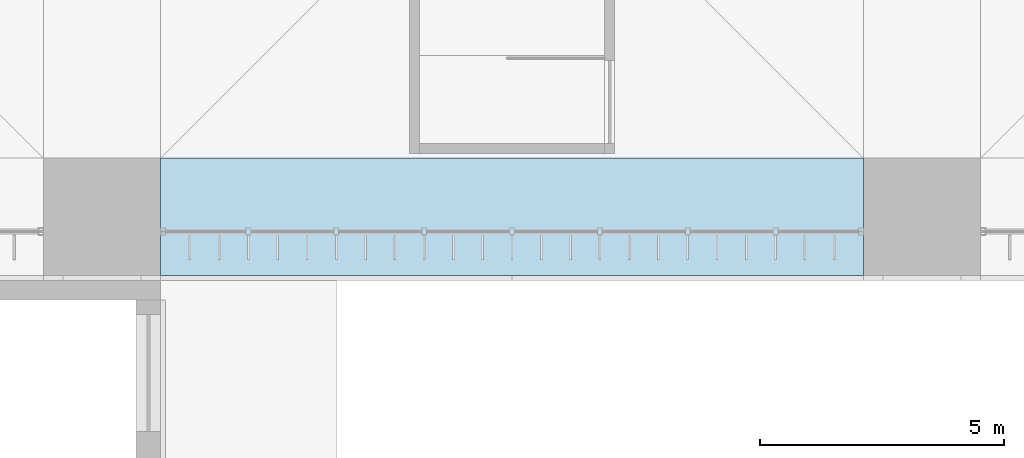
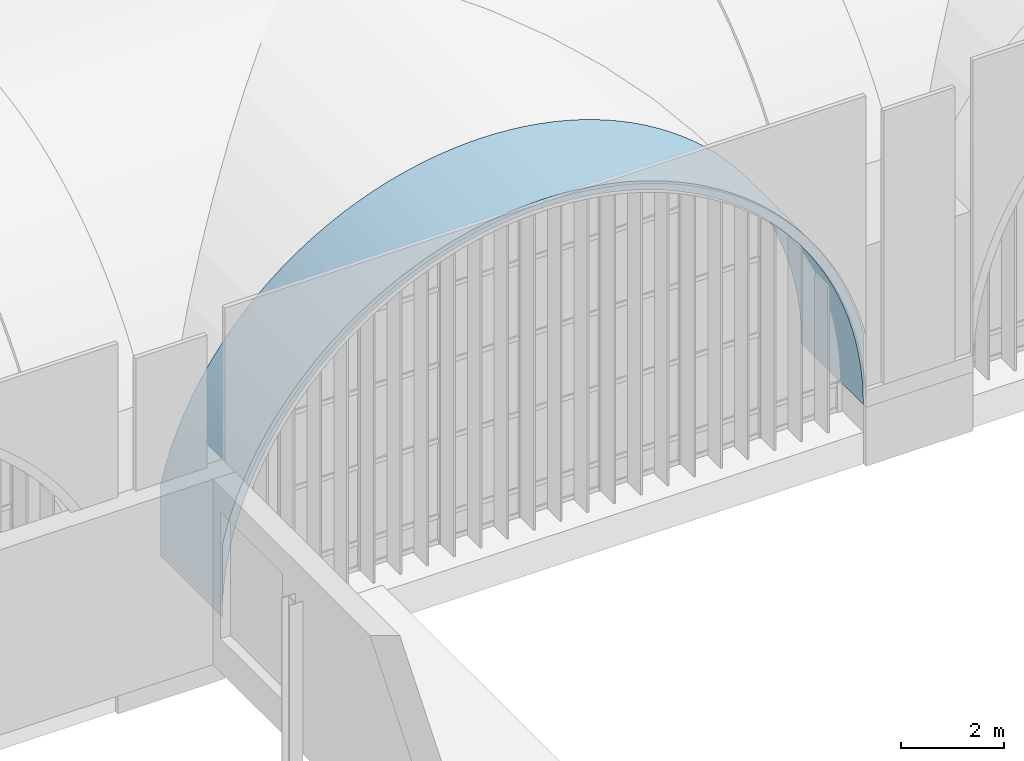
# One storey, part 127 of 169: 1 roof.
"""IFC4 building model written with IfcOpenShell, lengths in metres."""

from ifc_helpers import new_model, si_unit, direction, frame, origin, place, context, subcontext, project, spatial, polygons, material, layer, layer_set, type_object, element, save


model = new_model("IFC4")

# Units and contexts
model_context = context("Model", 3, precision=1e-05, world=origin(), true_north=direction((0.0, 1.0)))
body_context = subcontext(model_context, "Body", "Model", "MODEL_VIEW")
ifc_project = project(units=[si_unit("LENGTHUNIT", "METRE"), si_unit("AREAUNIT", "SQUARE_METRE"), si_unit("VOLUMEUNIT", "CUBIC_METRE"), si_unit("PLANEANGLEUNIT", "RADIAN"), si_unit("MASSUNIT", "GRAM", prefix="KILO")], contexts=[model_context])

# Site, building, storey
site_placement = place(None, origin())
site = spatial("IfcSite", under=ifc_project, at=site_placement, CompositionType="ELEMENT")
building_placement = place(site_placement, origin())
building = spatial("IfcBuilding", under=site, at=building_placement, Name="Verrick Yard Athletic Hall", CompositionType="ELEMENT")
storey_placement = place(building_placement, frame((0.0, 0.0, 4.39990234375)))
storey = spatial("IfcBuildingStorey", under=building, at=storey_placement, Name="L01", CompositionType="ELEMENT", Elevation=4.39990234375)

# Roof
ifc_material = material(Name="Concrete 35 MPa", Category="concrete")
ifc_layer = layer(ifc_material, 0.199951171875)
ifc_layer_set = layer_set([ifc_layer], Name="Arch rib 200")
roof_type = type_object("IfcRoofType", Name="Arch rib 200", PredefinedType="BARREL_ROOF", material=ifc_layer_set)
roof_placement = place(storey_placement, origin())
element("IfcRoof", 1, at=roof_placement, inside=storey, type_object=roof_type, Name="Vault rib S5", PredefinedType="BARREL_ROOF", context=body_context, shape_type="Tessellation", body=[
    polygons([(108.39990234375, 18.0, 2.352294921875), (108.39990234375, 18.0, 0.650146484375), (108.406982421875, 18.0, 0.964111328125), (108.427490234375, 18.0, 1.277587890625), (108.461669921875, 18.0, 1.58984375), (108.509521484375, 18.0, 1.900390625), (108.57080078125, 18.0, 2.20849609375), (108.645263671875, 18.0, 2.513671875), (108.733154296875, 18.0, 2.815185546875), (108.834228515625, 18.0, 3.112548828125), (108.947998046875, 18.0, 3.405517578125), (109.07470703125, 18.0, 3.693115234375), (109.21337890625, 18.0, 3.974609375), (109.364501953125, 18.0, 4.25), (109.527587890625, 18.0, 4.518798828125), (109.7021484375, 18.0, 4.77978515625), (109.887939453125, 18.0, 5.033203125), (110.08447265625, 18.0, 5.278076171875), (110.29150390625, 18.0, 5.514404296875), (110.5087890625, 18.0, 5.7412109375), (110.73583984375, 18.0, 5.95849609375), (110.971923828125, 18.0, 6.16552734375), (111.216796875, 18.0, 6.3623046875), (111.47021484375, 18.0, 6.548095703125), (111.7314453125, 18.0, 6.722412109375), (112.0, 18.0, 6.885498046875), (112.275390625, 18.0, 7.03662109375), (112.55712890625, 18.0, 7.175537109375), (112.8447265625, 18.0, 7.302001953125), (113.137451171875, 18.0, 7.416015625), (113.434814453125, 18.0, 7.516845703125), (113.736572265625, 18.0, 7.604736328125), (114.04150390625, 18.0, 7.679443359375), (114.349609375, 18.0, 7.74072265625), (114.66015625, 18.0, 7.78857421875), (114.972412109375, 18.0, 7.82275390625), (115.285888671875, 18.0, 7.84326171875), (115.60009765625, 18.0, 7.85009765625), (115.9140625, 18.0, 7.84326171875), (116.2275390625, 18.0, 7.82275390625), (116.539794921875, 18.0, 7.78857421875), (116.850341796875, 18.0, 7.74072265625), (117.158447265625, 18.0, 7.679443359375), (117.46337890625, 18.0, 7.604736328125), (117.76513671875, 18.0, 7.516845703125), (118.0625, 18.0, 7.416015625), (118.355224609375, 18.0, 7.302001953125), (118.642822265625, 18.0, 7.175537109375), (118.924560546875, 18.0, 7.03662109375), (119.199951171875, 18.0, 6.885498046875), (119.468505859375, 18.0, 6.722412109375), (119.729736328125, 18.0, 6.548095703125), (119.983154296875, 18.0, 6.3623046875), (120.22802734375, 18.0, 6.16552734375), (120.464111328125, 18.0, 5.95849609375), (120.691162109375, 18.0, 5.7412109375), (120.908447265625, 18.0, 5.514404296875), (121.115478515625, 18.0, 5.278076171875), (121.31201171875, 18.0, 5.033203125), (121.497802734375, 18.0, 4.77978515625), (121.67236328125, 18.0, 4.518798828125), (121.83544921875, 18.0, 4.25), (121.986572265625, 18.0, 3.974609375), (122.12548828125, 18.0, 3.693115234375), (122.251953125, 18.0, 3.405517578125), (122.36572265625, 18.0, 3.112548828125), (122.466796875, 18.0, 2.815185546875), (122.5546875, 18.0, 2.513671875), (122.62939453125, 18.0, 2.20849609375), (122.690673828125, 18.0, 1.900390625), (122.73828125, 18.0, 1.58984375), (122.772705078125, 18.0, 1.277587890625), (122.793212890625, 18.0, 0.964111328125), (122.800048828125, 18.0, 0.650146484375), (122.800048828125, 18.0, 2.352294921875), (122.747802734375, 18.0, 2.5654296875), (122.657470703125, 18.0, 2.875244140625), (122.5537109375, 18.0, 3.180908203125), (122.436767578125, 18.0, 3.48193359375), (122.306640625, 18.0, 3.777587890625), (122.163818359375, 18.0, 4.06689453125), (122.008544921875, 18.0, 4.35009765625), (121.841064453125, 18.0, 4.6259765625), (121.66162109375, 18.0, 4.89453125), (121.470703125, 18.0, 5.15478515625), (121.268798828125, 18.0, 5.40673828125), (121.055908203125, 18.0, 5.6494140625), (120.83251953125, 18.0, 5.8828125), (120.599365234375, 18.0, 6.10595703125), (120.356689453125, 18.0, 6.31884765625), (120.104736328125, 18.0, 6.52099609375), (119.844482421875, 18.0, 6.7119140625), (119.575927734375, 18.0, 6.89111328125), (119.300048828125, 18.0, 7.05859375), (119.016845703125, 18.0, 7.214111328125), (118.727294921875, 18.0, 7.356689453125), (118.431884765625, 18.0, 7.48681640625), (118.130859375, 18.0, 7.603759765625), (117.8251953125, 18.0, 7.70751953125), (117.515380859375, 18.0, 7.798095703125), (117.20166015625, 18.0, 7.874755859375), (116.885009765625, 18.0, 7.937744140625), (116.56591796875, 18.0, 7.98681640625), (116.2451171875, 18.0, 8.02197265625), (115.9228515625, 18.0, 8.043212890625), (115.60009765625, 18.0, 8.050048828125), (115.277099609375, 18.0, 8.043212890625), (114.955078125, 18.0, 8.02197265625), (114.634033203125, 18.0, 7.98681640625), (114.31494140625, 18.0, 7.937744140625), (113.998291015625, 18.0, 7.874755859375), (113.684814453125, 18.0, 7.798095703125), (113.374755859375, 18.0, 7.70751953125), (113.069091796875, 18.0, 7.603759765625), (112.76806640625, 18.0, 7.48681640625), (112.47265625, 18.0, 7.356689453125), (112.18310546875, 18.0, 7.214111328125), (111.89990234375, 18.0, 7.05859375), (111.6240234375, 18.0, 6.89111328125), (111.35546875, 18.0, 6.7119140625), (111.09521484375, 18.0, 6.52099609375), (110.843505859375, 18.0, 6.31884765625), (110.6005859375, 18.0, 6.10595703125), (110.367431640625, 18.0, 5.8828125), (110.14404296875, 18.0, 5.6494140625), (109.931396484375, 18.0, 5.40673828125), (109.729248046875, 18.0, 5.15478515625), (109.538330078125, 18.0, 4.89453125), (109.35888671875, 18.0, 4.6259765625), (109.19140625, 18.0, 4.35009765625), (109.0361328125, 18.0, 4.06689453125), (108.893310546875, 18.0, 3.777587890625), (108.76318359375, 18.0, 3.48193359375), (108.646240234375, 18.0, 3.180908203125), (108.54248046875, 18.0, 2.875244140625), (108.4521484375, 18.0, 2.5654296875), (108.39990234375, 20.39990234375, 2.352294921875), (108.39990234375, 20.39990234375, 0.650146484375), (108.406982421875, 20.39990234375, 0.964111328125), (108.427490234375, 20.39990234375, 1.277587890625), (108.461669921875, 20.39990234375, 1.58984375), (108.509521484375, 20.39990234375, 1.900390625), (108.57080078125, 20.39990234375, 2.20849609375), (108.645263671875, 20.39990234375, 2.513671875), (108.733154296875, 20.39990234375, 2.815185546875), (108.834228515625, 20.39990234375, 3.112548828125), (108.947998046875, 20.39990234375, 3.405517578125), (109.07470703125, 20.39990234375, 3.693115234375), (109.21337890625, 20.39990234375, 3.974609375), (109.364501953125, 20.39990234375, 4.25), (109.527587890625, 20.39990234375, 4.518798828125), (109.7021484375, 20.39990234375, 4.77978515625), (109.887939453125, 20.39990234375, 5.033203125), (110.08447265625, 20.39990234375, 5.278076171875), (110.29150390625, 20.39990234375, 5.514404296875), (110.5087890625, 20.39990234375, 5.7412109375), (110.73583984375, 20.39990234375, 5.95849609375), (110.971923828125, 20.39990234375, 6.16552734375), (111.216796875, 20.39990234375, 6.3623046875), (111.47021484375, 20.39990234375, 6.548095703125), (111.7314453125, 20.39990234375, 6.722412109375), (112.0, 20.39990234375, 6.885498046875), (112.275390625, 20.39990234375, 7.03662109375), (112.55712890625, 20.39990234375, 7.175537109375), (112.8447265625, 20.39990234375, 7.302001953125), (113.137451171875, 20.39990234375, 7.416015625), (113.434814453125, 20.39990234375, 7.516845703125), (113.736572265625, 20.39990234375, 7.604736328125), (114.04150390625, 20.39990234375, 7.679443359375), (114.349609375, 20.39990234375, 7.74072265625), (114.66015625, 20.39990234375, 7.78857421875), (114.972412109375, 20.39990234375, 7.82275390625), (115.285888671875, 20.39990234375, 7.84326171875), (115.60009765625, 20.39990234375, 7.85009765625), (115.9140625, 20.39990234375, 7.84326171875), (116.2275390625, 20.39990234375, 7.82275390625), (116.539794921875, 20.39990234375, 7.78857421875), (116.850341796875, 20.39990234375, 7.74072265625), (117.158447265625, 20.39990234375, 7.679443359375), (117.46337890625, 20.39990234375, 7.604736328125), (117.76513671875, 20.39990234375, 7.516845703125), (118.0625, 20.39990234375, 7.416015625), (118.355224609375, 20.39990234375, 7.302001953125), (118.642822265625, 20.39990234375, 7.175537109375), (118.924560546875, 20.39990234375, 7.03662109375), (119.199951171875, 20.39990234375, 6.885498046875), (119.468505859375, 20.39990234375, 6.722412109375), (119.729736328125, 20.39990234375, 6.548095703125), (119.983154296875, 20.39990234375, 6.3623046875), (120.22802734375, 20.39990234375, 6.16552734375), (120.464111328125, 20.39990234375, 5.95849609375), (120.691162109375, 20.39990234375, 5.7412109375), (120.908447265625, 20.39990234375, 5.514404296875), (121.115478515625, 20.39990234375, 5.278076171875), (121.31201171875, 20.39990234375, 5.033203125), (121.497802734375, 20.39990234375, 4.77978515625), (121.67236328125, 20.39990234375, 4.518798828125), (121.83544921875, 20.39990234375, 4.25), (121.986572265625, 20.39990234375, 3.974609375), (122.12548828125, 20.39990234375, 3.693115234375), (122.251953125, 20.39990234375, 3.405517578125), (122.36572265625, 20.39990234375, 3.112548828125), (122.466796875, 20.39990234375, 2.815185546875), (122.5546875, 20.39990234375, 2.513671875), (122.62939453125, 20.39990234375, 2.20849609375), (122.690673828125, 20.39990234375, 1.900390625), (122.73828125, 20.39990234375, 1.58984375), (122.772705078125, 20.39990234375, 1.277587890625), (122.793212890625, 20.39990234375, 0.964111328125), (122.800048828125, 20.39990234375, 0.650146484375), (122.800048828125, 20.39990234375, 2.352294921875), (122.747802734375, 20.39990234375, 2.5654296875), (122.657470703125, 20.39990234375, 2.875244140625), (122.5537109375, 20.39990234375, 3.180908203125), (122.436767578125, 20.39990234375, 3.48193359375), (122.306640625, 20.39990234375, 3.777587890625), (122.163818359375, 20.39990234375, 4.06689453125), (122.008544921875, 20.39990234375, 4.35009765625), (121.841064453125, 20.39990234375, 4.6259765625), (121.66162109375, 20.39990234375, 4.89453125), (121.470703125, 20.39990234375, 5.15478515625), (121.268798828125, 20.39990234375, 5.40673828125), (121.055908203125, 20.39990234375, 5.6494140625), (120.83251953125, 20.39990234375, 5.8828125), (120.599365234375, 20.39990234375, 6.10595703125), (120.356689453125, 20.39990234375, 6.31884765625), (120.104736328125, 20.39990234375, 6.52099609375), (119.844482421875, 20.39990234375, 6.7119140625), (119.575927734375, 20.39990234375, 6.89111328125), (119.300048828125, 20.39990234375, 7.05859375), (119.016845703125, 20.39990234375, 7.214111328125), (118.727294921875, 20.39990234375, 7.356689453125), (118.431884765625, 20.39990234375, 7.48681640625), (118.130859375, 20.39990234375, 7.603759765625), (117.8251953125, 20.39990234375, 7.70751953125), (117.515380859375, 20.39990234375, 7.798095703125), (117.20166015625, 20.39990234375, 7.874755859375), (116.885009765625, 20.39990234375, 7.937744140625), (116.56591796875, 20.39990234375, 7.98681640625), (116.2451171875, 20.39990234375, 8.02197265625), (115.9228515625, 20.39990234375, 8.043212890625), (115.60009765625, 20.39990234375, 8.050048828125), (115.277099609375, 20.39990234375, 8.043212890625), (114.955078125, 20.39990234375, 8.02197265625), (114.634033203125, 20.39990234375, 7.98681640625), (114.31494140625, 20.39990234375, 7.937744140625), (113.998291015625, 20.39990234375, 7.874755859375), (113.684814453125, 20.39990234375, 7.798095703125), (113.374755859375, 20.39990234375, 7.70751953125), (113.069091796875, 20.39990234375, 7.603759765625), (112.76806640625, 20.39990234375, 7.48681640625), (112.47265625, 20.39990234375, 7.356689453125), (112.18310546875, 20.39990234375, 7.214111328125), (111.89990234375, 20.39990234375, 7.05859375), (111.6240234375, 20.39990234375, 6.89111328125), (111.35546875, 20.39990234375, 6.7119140625), (111.09521484375, 20.39990234375, 6.52099609375), (110.843505859375, 20.39990234375, 6.31884765625), (110.6005859375, 20.39990234375, 6.10595703125), (110.367431640625, 20.39990234375, 5.8828125), (110.14404296875, 20.39990234375, 5.6494140625), (109.931396484375, 20.39990234375, 5.40673828125), (109.729248046875, 20.39990234375, 5.15478515625), (109.538330078125, 20.39990234375, 4.89453125), (109.35888671875, 20.39990234375, 4.6259765625), (109.19140625, 20.39990234375, 4.35009765625), (109.0361328125, 20.39990234375, 4.06689453125), (108.893310546875, 20.39990234375, 3.777587890625), (108.76318359375, 20.39990234375, 3.48193359375), (108.646240234375, 20.39990234375, 3.180908203125), (108.54248046875, 20.39990234375, 2.875244140625), (108.4521484375, 20.39990234375, 2.5654296875)], [[[1, 2, 3]], [[137, 139, 138]], [[136, 1, 3]], [[272, 139, 137]], [[136, 3, 4]], [[272, 140, 139]], [[136, 4, 5]], [[272, 141, 140]], [[136, 5, 6]], [[272, 142, 141]], [[136, 6, 7]], [[272, 143, 142]], [[136, 7, 8]], [[272, 144, 143]], [[136, 8, 9]], [[272, 145, 144]], [[136, 9, 10]], [[272, 146, 145]], [[136, 10, 11]], [[272, 147, 146]], [[136, 11, 12]], [[272, 148, 147]], [[136, 12, 13]], [[272, 149, 148]], [[73, 74, 75]], [[209, 211, 210]], [[72, 73, 75]], [[208, 211, 209]], [[71, 72, 75]], [[207, 211, 208]], [[70, 71, 75]], [[206, 211, 207]], [[69, 70, 75]], [[205, 211, 206]], [[68, 69, 75]], [[204, 211, 205]], [[67, 68, 75]], [[203, 211, 204]], [[66, 67, 75]], [[202, 211, 203]], [[65, 66, 75]], [[201, 211, 202]], [[64, 65, 75]], [[200, 211, 201]], [[63, 64, 75]], [[199, 211, 200]], [[63, 75, 76]], [[199, 212, 211]], [[63, 76, 77]], [[199, 213, 212]], [[62, 63, 77]], [[198, 213, 199]], [[62, 77, 78]], [[198, 214, 213]], [[61, 62, 78]], [[197, 214, 198]], [[61, 78, 79]], [[197, 215, 214]], [[60, 61, 79]], [[196, 215, 197]], [[60, 79, 80]], [[196, 216, 215]], [[59, 60, 80]], [[195, 216, 196]], [[59, 80, 81]], [[195, 217, 216]], [[58, 59, 81]], [[194, 217, 195]], [[58, 81, 82]], [[194, 218, 217]], [[57, 58, 82]], [[193, 218, 194]], [[57, 82, 83]], [[193, 219, 218]], [[56, 57, 83]], [[192, 219, 193]], [[56, 83, 84]], [[192, 220, 219]], [[55, 56, 84]], [[191, 220, 192]], [[55, 84, 85]], [[191, 221, 220]], [[54, 55, 85]], [[190, 221, 191]], [[54, 85, 86]], [[190, 222, 221]], [[53, 54, 86]], [[189, 222, 190]], [[53, 86, 87]], [[189, 223, 222]], [[52, 53, 87]], [[188, 223, 189]], [[52, 87, 88]], [[188, 224, 223]], [[51, 52, 88]], [[187, 224, 188]], [[51, 88, 89]], [[187, 225, 224]], [[50, 51, 89]], [[186, 225, 187]], [[50, 89, 90]], [[186, 226, 225]], [[49, 50, 90]], [[185, 226, 186]], [[49, 90, 91]], [[185, 227, 226]], [[48, 49, 91]], [[184, 227, 185]], [[48, 91, 92]], [[184, 228, 227]], [[47, 48, 92]], [[183, 228, 184]], [[47, 92, 93]], [[183, 229, 228]], [[46, 47, 93]], [[182, 229, 183]], [[46, 93, 94]], [[182, 230, 229]], [[45, 46, 94]], [[181, 230, 182]], [[45, 94, 95]], [[181, 231, 230]], [[44, 45, 95]], [[180, 231, 181]], [[44, 95, 96]], [[180, 232, 231]], [[43, 44, 96]], [[179, 232, 180]], [[43, 96, 97]], [[179, 233, 232]], [[42, 43, 97]], [[178, 233, 179]], [[42, 97, 98]], [[178, 234, 233]], [[41, 42, 98]], [[177, 234, 178]], [[41, 98, 99]], [[177, 235, 234]], [[40, 41, 99]], [[176, 235, 177]], [[40, 99, 100]], [[176, 236, 235]], [[39, 40, 100]], [[175, 236, 176]], [[39, 100, 101]], [[175, 237, 236]], [[38, 39, 101]], [[174, 237, 175]], [[38, 101, 102]], [[174, 238, 237]], [[37, 38, 102]], [[173, 238, 174]], [[37, 102, 103]], [[173, 239, 238]], [[36, 37, 103]], [[172, 239, 173]], [[36, 103, 104]], [[172, 240, 239]], [[35, 36, 104]], [[171, 240, 172]], [[35, 104, 105]], [[171, 241, 240]], [[34, 35, 105]], [[170, 241, 171]], [[34, 105, 106]], [[170, 242, 241]], [[33, 34, 106]], [[169, 242, 170]], [[33, 106, 107]], [[169, 243, 242]], [[32, 33, 107]], [[168, 243, 169]], [[32, 107, 108]], [[168, 244, 243]], [[31, 32, 108]], [[167, 244, 168]], [[31, 108, 109]], [[167, 245, 244]], [[30, 31, 109]], [[166, 245, 167]], [[30, 109, 110]], [[166, 246, 245]], [[29, 30, 110]], [[165, 246, 166]], [[29, 110, 111]], [[165, 247, 246]], [[28, 29, 111]], [[164, 247, 165]], [[28, 111, 112]], [[164, 248, 247]], [[27, 28, 112]], [[163, 248, 164]], [[27, 112, 113]], [[163, 249, 248]], [[26, 27, 113]], [[162, 249, 163]], [[26, 113, 114]], [[162, 250, 249]], [[25, 26, 114]], [[161, 250, 162]], [[25, 114, 115]], [[161, 251, 250]], [[24, 25, 115]], [[160, 251, 161]], [[24, 115, 116]], [[160, 252, 251]], [[23, 24, 116]], [[159, 252, 160]], [[23, 116, 117]], [[159, 253, 252]], [[22, 23, 117]], [[158, 253, 159]], [[22, 117, 118]], [[158, 254, 253]], [[21, 22, 118]], [[157, 254, 158]], [[21, 118, 119]], [[157, 255, 254]], [[20, 21, 119]], [[156, 255, 157]], [[20, 119, 120]], [[156, 256, 255]], [[19, 20, 120]], [[155, 256, 156]], [[19, 120, 121]], [[155, 257, 256]], [[18, 19, 121]], [[154, 257, 155]], [[18, 121, 122]], [[154, 258, 257]], [[17, 18, 122]], [[153, 258, 154]], [[17, 122, 123]], [[153, 259, 258]], [[16, 17, 123]], [[152, 259, 153]], [[16, 123, 124]], [[152, 260, 259]], [[15, 16, 124]], [[151, 260, 152]], [[15, 124, 125]], [[151, 261, 260]], [[14, 15, 125]], [[150, 261, 151]], [[14, 125, 126]], [[150, 262, 261]], [[13, 14, 126]], [[149, 262, 150]], [[136, 13, 126]], [[272, 262, 149]], [[136, 126, 127]], [[272, 263, 262]], [[136, 127, 128]], [[272, 264, 263]], [[136, 128, 129]], [[272, 265, 264]], [[136, 129, 130]], [[272, 266, 265]], [[136, 130, 131]], [[272, 267, 266]], [[136, 131, 132]], [[272, 268, 267]], [[136, 132, 133]], [[272, 269, 268]], [[136, 133, 134]], [[272, 270, 269]], [[134, 135, 136]], [[270, 272, 271]], [[1, 138, 2]], [[1, 137, 138]], [[2, 139, 3]], [[2, 138, 139]], [[3, 140, 4]], [[3, 139, 140]], [[4, 141, 5]], [[4, 140, 141]], [[5, 142, 6]], [[5, 141, 142]], [[6, 143, 7]], [[6, 142, 143]], [[7, 144, 8]], [[7, 143, 144]], [[8, 145, 9]], [[8, 144, 145]], [[9, 146, 10]], [[9, 145, 146]], [[10, 147, 11]], [[10, 146, 147]], [[11, 148, 12]], [[11, 147, 148]], [[12, 149, 13]], [[12, 148, 149]], [[13, 150, 14]], [[13, 149, 150]], [[14, 151, 15]], [[14, 150, 151]], [[15, 152, 16]], [[15, 151, 152]], [[16, 153, 17]], [[16, 152, 153]], [[17, 154, 18]], [[17, 153, 154]], [[18, 155, 19]], [[18, 154, 155]], [[19, 156, 20]], [[19, 155, 156]], [[20, 157, 21]], [[20, 156, 157]], [[21, 158, 22]], [[21, 157, 158]], [[22, 159, 23]], [[22, 158, 159]], [[23, 160, 24]], [[23, 159, 160]], [[24, 161, 25]], [[24, 160, 161]], [[25, 162, 26]], [[25, 161, 162]], [[26, 163, 27]], [[26, 162, 163]], [[27, 164, 28]], [[27, 163, 164]], [[28, 165, 29]], [[28, 164, 165]], [[29, 166, 30]], [[29, 165, 166]], [[30, 167, 31]], [[30, 166, 167]], [[31, 168, 32]], [[31, 167, 168]], [[32, 169, 33]], [[32, 168, 169]], [[33, 170, 34]], [[33, 169, 170]], [[34, 171, 35]], [[34, 170, 171]], [[35, 172, 36]], [[35, 171, 172]], [[36, 173, 37]], [[36, 172, 173]], [[37, 174, 38]], [[37, 173, 174]], [[38, 175, 39]], [[38, 174, 175]], [[39, 176, 40]], [[39, 175, 176]], [[40, 177, 41]], [[40, 176, 177]], [[41, 178, 42]], [[41, 177, 178]], [[42, 179, 43]], [[42, 178, 179]], [[43, 180, 44]], [[43, 179, 180]], [[44, 181, 45]], [[44, 180, 181]], [[45, 182, 46]], [[45, 181, 182]], [[46, 183, 47]], [[46, 182, 183]], [[47, 184, 48]], [[47, 183, 184]], [[48, 185, 49]], [[48, 184, 185]], [[49, 186, 50]], [[49, 185, 186]], [[50, 187, 51]], [[50, 186, 187]], [[51, 188, 52]], [[51, 187, 188]], [[52, 189, 53]], [[52, 188, 189]], [[53, 190, 54]], [[53, 189, 190]], [[54, 191, 55]], [[54, 190, 191]], [[55, 192, 56]], [[55, 191, 192]], [[56, 193, 57]], [[56, 192, 193]], [[57, 194, 58]], [[57, 193, 194]], [[58, 195, 59]], [[58, 194, 195]], [[59, 196, 60]], [[59, 195, 196]], [[60, 197, 61]], [[60, 196, 197]], [[61, 198, 62]], [[61, 197, 198]], [[62, 199, 63]], [[62, 198, 199]], [[63, 200, 64]], [[63, 199, 200]], [[64, 201, 65]], [[64, 200, 201]], [[65, 202, 66]], [[65, 201, 202]], [[66, 203, 67]], [[66, 202, 203]], [[67, 204, 68]], [[67, 203, 204]], [[68, 205, 69]], [[68, 204, 205]], [[69, 206, 70]], [[69, 205, 206]], [[70, 207, 71]], [[70, 206, 207]], [[71, 208, 72]], [[71, 207, 208]], [[72, 209, 73]], [[72, 208, 209]], [[73, 210, 74]], [[73, 209, 210]], [[74, 211, 75]], [[74, 210, 211]], [[75, 212, 76]], [[75, 211, 212]], [[76, 213, 77]], [[76, 212, 213]], [[77, 214, 78]], [[77, 213, 214]], [[78, 215, 79]], [[78, 214, 215]], [[79, 216, 80]], [[79, 215, 216]], [[80, 217, 81]], [[80, 216, 217]], [[81, 218, 82]], [[81, 217, 218]], [[82, 219, 83]], [[82, 218, 219]], [[83, 220, 84]], [[83, 219, 220]], [[84, 221, 85]], [[84, 220, 221]], [[85, 222, 86]], [[85, 221, 222]], [[86, 223, 87]], [[86, 222, 223]], [[87, 224, 88]], [[87, 223, 224]], [[88, 225, 89]], [[88, 224, 225]], [[89, 226, 90]], [[89, 225, 226]], [[90, 227, 91]], [[90, 226, 227]], [[91, 228, 92]], [[91, 227, 228]], [[92, 229, 93]], [[92, 228, 229]], [[93, 230, 94]], [[93, 229, 230]], [[94, 231, 95]], [[94, 230, 231]], [[95, 232, 96]], [[95, 231, 232]], [[96, 233, 97]], [[96, 232, 233]], [[97, 234, 98]], [[97, 233, 234]], [[98, 235, 99]], [[98, 234, 235]], [[99, 236, 100]], [[99, 235, 236]], [[100, 237, 101]], [[100, 236, 237]], [[101, 238, 102]], [[101, 237, 238]], [[102, 239, 103]], [[102, 238, 239]], [[103, 240, 104]], [[103, 239, 240]], [[104, 241, 105]], [[104, 240, 241]], [[105, 242, 106]], [[105, 241, 242]], [[106, 243, 107]], [[106, 242, 243]], [[107, 244, 108]], [[107, 243, 244]], [[108, 245, 109]], [[108, 244, 245]], [[109, 246, 110]], [[109, 245, 246]], [[110, 247, 111]], [[110, 246, 247]], [[111, 248, 112]], [[111, 247, 248]], [[112, 249, 113]], [[112, 248, 249]], [[113, 250, 114]], [[113, 249, 250]], [[114, 251, 115]], [[114, 250, 251]], [[115, 252, 116]], [[115, 251, 252]], [[116, 253, 117]], [[116, 252, 253]], [[117, 254, 118]], [[117, 253, 254]], [[118, 255, 119]], [[118, 254, 255]], [[119, 256, 120]], [[119, 255, 256]], [[120, 257, 121]], [[120, 256, 257]], [[121, 258, 122]], [[121, 257, 258]], [[122, 259, 123]], [[122, 258, 259]], [[123, 260, 124]], [[123, 259, 260]], [[124, 261, 125]], [[124, 260, 261]], [[125, 262, 126]], [[125, 261, 262]], [[126, 263, 127]], [[126, 262, 263]], [[127, 264, 128]], [[127, 263, 264]], [[128, 265, 129]], [[128, 264, 265]], [[129, 266, 130]], [[129, 265, 266]], [[130, 267, 131]], [[130, 266, 267]], [[131, 268, 132]], [[131, 267, 268]], [[132, 269, 133]], [[132, 268, 269]], [[133, 270, 134]], [[133, 269, 270]], [[134, 271, 135]], [[134, 270, 271]], [[135, 272, 136]], [[135, 271, 272]], [[136, 137, 1]], [[136, 272, 137]]], closed=True),
])

save(model, "model.ifc")
